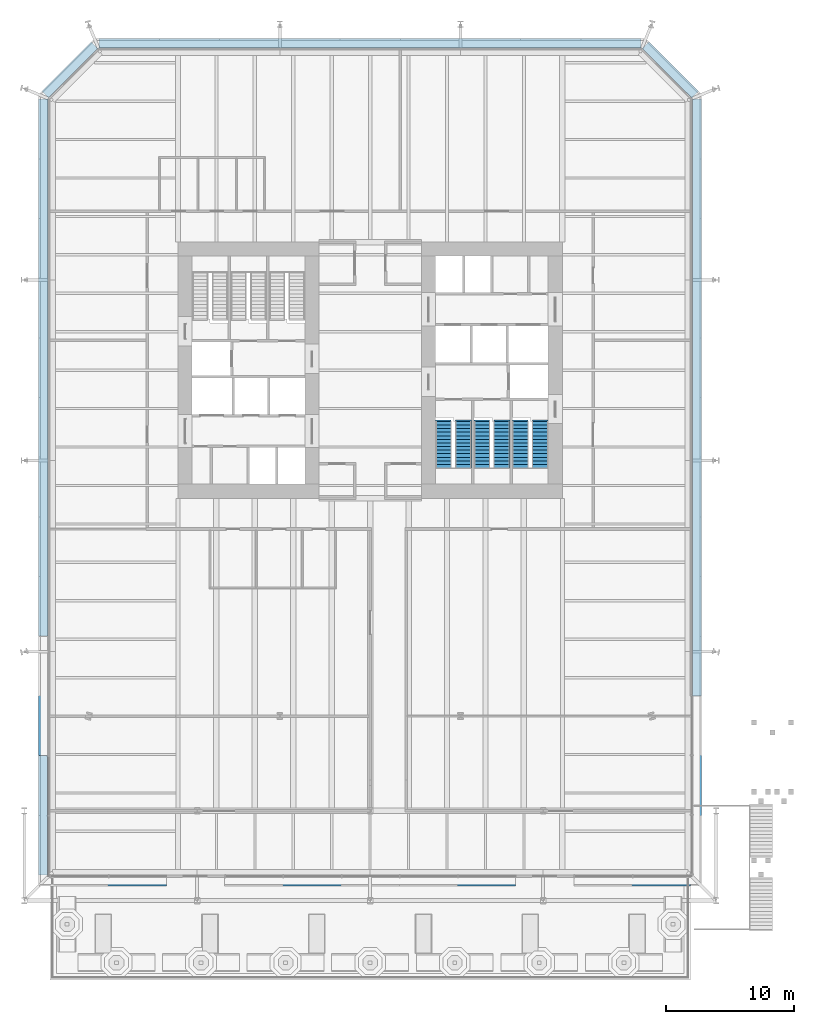
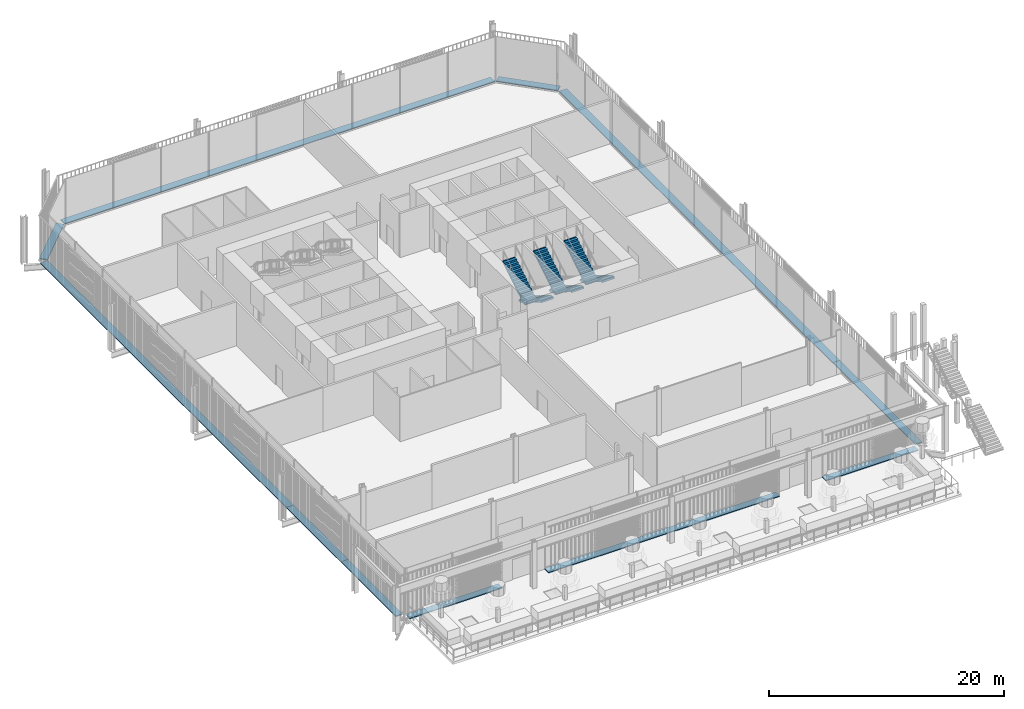
# One storey, part 22 of 25: 11 discrete accessories, 6 stair flights, 3 elements without a shape of their own.
"""IFC4 building model written with IfcOpenShell, lengths in metres."""

from ifc_helpers import new_model, si_unit, direction, frame, origin, origin_2d, place, context, subcontext, project, spatial, polyline, rectangle, outline, extrude, material, type_object, element, aggregate, save


model = new_model("IFC4")

# Units and contexts
model_context = context("Model", 3, precision=1e-05, world=origin(), true_north=direction((0.0, 1.0)))
body_context = subcontext(model_context, "Body", "Model", "MODEL_VIEW")
ifc_project = project(units=[si_unit("LENGTHUNIT", "METRE"), si_unit("AREAUNIT", "SQUARE_METRE"), si_unit("VOLUMEUNIT", "CUBIC_METRE"), si_unit("PLANEANGLEUNIT", "RADIAN"), si_unit("MASSUNIT", "GRAM", prefix="KILO")], contexts=[model_context])

# Site, building, storey
site_placement = place(None, origin())
site = spatial("IfcSite", under=ifc_project, at=site_placement, CompositionType="ELEMENT")
building_placement = place(site_placement, origin())
building = spatial("IfcBuilding", under=site, at=building_placement, Name="Millrace Tower", CompositionType="ELEMENT")
storey_placement = place(building_placement, frame((0.0, 0.0, 6.5)))
storey = spatial("IfcBuildingStorey", under=building, at=storey_placement, Name="L02", CompositionType="ELEMENT", Elevation=6.5)

# Stair, stair flights
ifc_material_1 = material(Name="Concrete C35", Category="concrete")
stair_type = type_object("IfcStairType", Name="Exit stair", PredefinedType="HALF_TURN_STAIR", material=ifc_material_1)
placement = place(storey_placement, origin())
stair_1 = element("IfcStair", 1, at=placement, inside=storey, type_object=stair_type, Name="Stair 1 E L02", PredefinedType="HALF_TURN_STAIR")
ifc_material_2 = material(Name="Concrete C35", Category="concrete")
stair_flight_type = type_object("IfcStairFlightType", Name="Exit stair flight", PredefinedType="STRAIGHT", material=ifc_material_2)
stair_flight_1_placement = place(storey_placement, frame((13.2900390625, -4.0, 0.0), z_axis=(0.0, 0.0, 1.0), x_axis=(0.0, -1.0, 0.0)))
stair_flight_1 = element("IfcStairFlight", 2, at=stair_flight_1_placement, type_object=stair_flight_type, Name="ST12 flight 1", NumberOfRisers=14, NumberOfTreads=13, PredefinedType="STRAIGHT", RiserHeight=0.171428571, TreadLength=0.28, context=body_context, shape_type="SweptSolid", body=[
    extrude(outline(polyline([(-0.1201171875, -0.0400390625), (-0.1201171875, 0.0), (0.0, 0.0), (0.0, 0.17138671875), (0.280029296875, 0.17138671875), (0.280029296875, 0.3427734375), (0.56005859375, 0.3427734375), (0.56005859375, 0.514404296875), (0.840087890625, 0.514404296875), (0.840087890625, 0.685791015625), (1.1201171875, 0.685791015625), (1.1201171875, 0.857177734375), (1.39990234375, 0.857177734375), (1.39990234375, 1.028564453125), (1.679931640625, 1.028564453125), (1.679931640625, 1.199951171875), (1.9599609375, 1.199951171875), (1.9599609375, 1.371337890625), (2.239990234375, 1.371337890625), (2.239990234375, 1.54296875), (2.52001953125, 1.54296875), (2.52001953125, 1.71435546875), (2.800048828125, 1.71435546875), (2.800048828125, 1.8857421875), (3.080078125, 1.8857421875), (3.080078125, 2.05712890625), (3.360107421875, 2.05712890625), (3.360107421875, 2.228515625), (3.639892578125, 2.228515625), (3.639892578125, 2.24853515625), (3.760009765625, 2.24853515625), (3.760009765625, 2.052734375), (3.639892578125, 2.052734375), (0.287109375, 0.0), (0.287109375, -0.0400390625), (-0.1201171875, -0.0400390625)])), frame((0.0, 0.60986328125, 0.0), z_axis=(0.0, -1.0, 0.0), x_axis=(1.0, 0.0, 0.0)), (0.0, 0.0, 1.0), 1.219970703125),
])
stair_flight_2_placement = place(storey_placement, frame((11.7099609375, -7.639892578125, 2.39990234375), z_axis=(0.0, 0.0, 1.0), x_axis=(0.0, 1.0, 0.0)))
stair_flight_2 = element("IfcStairFlight", 3, at=stair_flight_2_placement, type_object=stair_flight_type, Name="ST12 flight 2", NumberOfRisers=14, NumberOfTreads=13, PredefinedType="STRAIGHT", RiserHeight=0.171428571, TreadLength=0.28, context=body_context, shape_type="SweptSolid", body=[
    extrude(outline(polyline([(-0.1201171875, -0.0400390625), (-0.1201171875, 0.0), (0.0, 0.0), (0.0, 0.17138671875), (0.280029296875, 0.17138671875), (0.280029296875, 0.3427734375), (0.56005859375, 0.3427734375), (0.56005859375, 0.514404296875), (0.840087890625, 0.514404296875), (0.840087890625, 0.685791015625), (1.1201171875, 0.685791015625), (1.1201171875, 0.857177734375), (1.39990234375, 0.857177734375), (1.39990234375, 1.028564453125), (1.679931640625, 1.028564453125), (1.679931640625, 1.199951171875), (1.9599609375, 1.199951171875), (1.9599609375, 1.371337890625), (2.239990234375, 1.371337890625), (2.239990234375, 1.54296875), (2.52001953125, 1.54296875), (2.52001953125, 1.71435546875), (2.800048828125, 1.71435546875), (2.800048828125, 1.8857421875), (3.080078125, 1.8857421875), (3.080078125, 2.05712890625), (3.360107421875, 2.05712890625), (3.360107421875, 2.228515625), (3.639892578125, 2.228515625), (3.639892578125, 2.24853515625), (3.760009765625, 2.24853515625), (3.760009765625, 2.052734375), (3.639892578125, 2.052734375), (0.287109375, 0.0), (0.287109375, -0.0400390625), (-0.1201171875, -0.0400390625)])), frame((0.0, 0.60986328125, 0.0), z_axis=(0.0, -1.0, 0.0), x_axis=(1.0, 0.0, 0.0)), (0.0, 0.0, 1.0), 1.219970703125),
])
aggregate(stair_1, [stair_flight_1, stair_flight_2])

stair_2 = element("IfcStair", 4, at=placement, inside=storey, type_object=stair_type, Name="Stair 2 E L02", PredefinedType="HALF_TURN_STAIR")
stair_flight_3_placement = place(storey_placement, frame((10.2900390625, -4.0, 0.0), z_axis=(0.0, 0.0, 1.0), x_axis=(0.0, -1.0, 0.0)))
stair_flight_3 = element("IfcStairFlight", 5, at=stair_flight_3_placement, type_object=stair_flight_type, Name="ST12 flight 1", NumberOfRisers=14, NumberOfTreads=13, PredefinedType="STRAIGHT", RiserHeight=0.171428571, TreadLength=0.28, context=body_context, shape_type="SweptSolid", body=[
    extrude(outline(polyline([(-0.1201171875, -0.0400390625), (-0.1201171875, 0.0), (0.0, 0.0), (0.0, 0.17138671875), (0.280029296875, 0.17138671875), (0.280029296875, 0.3427734375), (0.56005859375, 0.3427734375), (0.56005859375, 0.514404296875), (0.840087890625, 0.514404296875), (0.840087890625, 0.685791015625), (1.1201171875, 0.685791015625), (1.1201171875, 0.857177734375), (1.39990234375, 0.857177734375), (1.39990234375, 1.028564453125), (1.679931640625, 1.028564453125), (1.679931640625, 1.199951171875), (1.9599609375, 1.199951171875), (1.9599609375, 1.371337890625), (2.239990234375, 1.371337890625), (2.239990234375, 1.54296875), (2.52001953125, 1.54296875), (2.52001953125, 1.71435546875), (2.800048828125, 1.71435546875), (2.800048828125, 1.8857421875), (3.080078125, 1.8857421875), (3.080078125, 2.05712890625), (3.360107421875, 2.05712890625), (3.360107421875, 2.228515625), (3.639892578125, 2.228515625), (3.639892578125, 2.24853515625), (3.760009765625, 2.24853515625), (3.760009765625, 2.052734375), (3.639892578125, 2.052734375), (0.287109375, 0.0), (0.287109375, -0.0400390625), (-0.1201171875, -0.0400390625)])), frame((0.0, 0.60986328125, 0.0), z_axis=(0.0, -1.0, 0.0), x_axis=(1.0, 0.0, 0.0)), (0.0, 0.0, 1.0), 1.219970703125),
])
stair_flight_4_placement = place(storey_placement, frame((8.7099609375, -7.639892578125, 2.39990234375), z_axis=(0.0, 0.0, 1.0), x_axis=(0.0, 1.0, 0.0)))
stair_flight_4 = element("IfcStairFlight", 6, at=stair_flight_4_placement, type_object=stair_flight_type, Name="ST12 flight 2", NumberOfRisers=14, NumberOfTreads=13, PredefinedType="STRAIGHT", RiserHeight=0.171428571, TreadLength=0.28, context=body_context, shape_type="SweptSolid", body=[
    extrude(outline(polyline([(-0.1201171875, -0.0400390625), (-0.1201171875, 0.0), (0.0, 0.0), (0.0, 0.17138671875), (0.280029296875, 0.17138671875), (0.280029296875, 0.3427734375), (0.56005859375, 0.3427734375), (0.56005859375, 0.514404296875), (0.840087890625, 0.514404296875), (0.840087890625, 0.685791015625), (1.1201171875, 0.685791015625), (1.1201171875, 0.857177734375), (1.39990234375, 0.857177734375), (1.39990234375, 1.028564453125), (1.679931640625, 1.028564453125), (1.679931640625, 1.199951171875), (1.9599609375, 1.199951171875), (1.9599609375, 1.371337890625), (2.239990234375, 1.371337890625), (2.239990234375, 1.54296875), (2.52001953125, 1.54296875), (2.52001953125, 1.71435546875), (2.800048828125, 1.71435546875), (2.800048828125, 1.8857421875), (3.080078125, 1.8857421875), (3.080078125, 2.05712890625), (3.360107421875, 2.05712890625), (3.360107421875, 2.228515625), (3.639892578125, 2.228515625), (3.639892578125, 2.24853515625), (3.760009765625, 2.24853515625), (3.760009765625, 2.052734375), (3.639892578125, 2.052734375), (0.287109375, 0.0), (0.287109375, -0.0400390625), (-0.1201171875, -0.0400390625)])), frame((0.0, 0.60986328125, 0.0), z_axis=(0.0, -1.0, 0.0), x_axis=(1.0, 0.0, 0.0)), (0.0, 0.0, 1.0), 1.219970703125),
])
aggregate(stair_2, [stair_flight_3, stair_flight_4])

stair_3 = element("IfcStair", 7, at=placement, inside=storey, type_object=stair_type, Name="Stair 3 E L02", PredefinedType="HALF_TURN_STAIR")
stair_flight_5_placement = place(storey_placement, frame((7.2900390625, -4.0, 0.0), z_axis=(0.0, 0.0, 1.0), x_axis=(0.0, -1.0, 0.0)))
stair_flight_5 = element("IfcStairFlight", 8, at=stair_flight_5_placement, type_object=stair_flight_type, Name="ST12 flight 1", NumberOfRisers=14, NumberOfTreads=13, PredefinedType="STRAIGHT", RiserHeight=0.171428571, TreadLength=0.28, context=body_context, shape_type="SweptSolid", body=[
    extrude(outline(polyline([(-0.1201171875, -0.0400390625), (-0.1201171875, 0.0), (0.0, 0.0), (0.0, 0.17138671875), (0.280029296875, 0.17138671875), (0.280029296875, 0.3427734375), (0.56005859375, 0.3427734375), (0.56005859375, 0.514404296875), (0.840087890625, 0.514404296875), (0.840087890625, 0.685791015625), (1.1201171875, 0.685791015625), (1.1201171875, 0.857177734375), (1.39990234375, 0.857177734375), (1.39990234375, 1.028564453125), (1.679931640625, 1.028564453125), (1.679931640625, 1.199951171875), (1.9599609375, 1.199951171875), (1.9599609375, 1.371337890625), (2.239990234375, 1.371337890625), (2.239990234375, 1.54296875), (2.52001953125, 1.54296875), (2.52001953125, 1.71435546875), (2.800048828125, 1.71435546875), (2.800048828125, 1.8857421875), (3.080078125, 1.8857421875), (3.080078125, 2.05712890625), (3.360107421875, 2.05712890625), (3.360107421875, 2.228515625), (3.639892578125, 2.228515625), (3.639892578125, 2.24853515625), (3.760009765625, 2.24853515625), (3.760009765625, 2.052734375), (3.639892578125, 2.052734375), (0.287109375, 0.0), (0.287109375, -0.0400390625), (-0.1201171875, -0.0400390625)])), frame((0.0, 0.60986328125, 0.0), z_axis=(0.0, -1.0, 0.0), x_axis=(1.0, 0.0, 0.0)), (0.0, 0.0, 1.0), 1.219970703125),
])
stair_flight_6_placement = place(storey_placement, frame((5.7099609375, -7.639892578125, 2.39990234375), z_axis=(0.0, 0.0, 1.0), x_axis=(0.0, 1.0, 0.0)))
stair_flight_6 = element("IfcStairFlight", 9, at=stair_flight_6_placement, type_object=stair_flight_type, Name="ST12 flight 2", NumberOfRisers=14, NumberOfTreads=13, PredefinedType="STRAIGHT", RiserHeight=0.171428571, TreadLength=0.28, context=body_context, shape_type="SweptSolid", body=[
    extrude(outline(polyline([(-0.1201171875, -0.0400390625), (-0.1201171875, 0.0), (0.0, 0.0), (0.0, 0.17138671875), (0.280029296875, 0.17138671875), (0.280029296875, 0.3427734375), (0.56005859375, 0.3427734375), (0.56005859375, 0.514404296875), (0.840087890625, 0.514404296875), (0.840087890625, 0.685791015625), (1.1201171875, 0.685791015625), (1.1201171875, 0.857177734375), (1.39990234375, 0.857177734375), (1.39990234375, 1.028564453125), (1.679931640625, 1.028564453125), (1.679931640625, 1.199951171875), (1.9599609375, 1.199951171875), (1.9599609375, 1.371337890625), (2.239990234375, 1.371337890625), (2.239990234375, 1.54296875), (2.52001953125, 1.54296875), (2.52001953125, 1.71435546875), (2.800048828125, 1.71435546875), (2.800048828125, 1.8857421875), (3.080078125, 1.8857421875), (3.080078125, 2.05712890625), (3.360107421875, 2.05712890625), (3.360107421875, 2.228515625), (3.639892578125, 2.228515625), (3.639892578125, 2.24853515625), (3.760009765625, 2.24853515625), (3.760009765625, 2.052734375), (3.639892578125, 2.052734375), (0.287109375, 0.0), (0.287109375, -0.0400390625), (-0.1201171875, -0.0400390625)])), frame((0.0, 0.60986328125, 0.0), z_axis=(0.0, -1.0, 0.0), x_axis=(1.0, 0.0, 0.0)), (0.0, 0.0, 1.0), 1.219970703125),
])
aggregate(stair_3, [stair_flight_5, stair_flight_6])

# Discrete accessories
ifc_material_3 = material(Name="Stainless steel ASTM A240 type 316", Category="steel")
discrete_accessory_type = type_object("IfcDiscreteAccessoryType", Name="Thermally broken screen support rail", PredefinedType="BRACKET", material=ifc_material_3)
discrete_accessory_1_placement = place(storey_placement, frame((-20.45458984375, -39.93505859375, 0.0), z_axis=(0.0, 0.0, 1.0), x_axis=(1.0, 0.0, 0.0)))
element("IfcDiscreteAccessory", 10, at=discrete_accessory_1_placement, inside=storey, type_object=discrete_accessory_type, Name="Thermally broken screen support rail AW2-F01 L02 1", PredefinedType="BRACKET", context=body_context, shape_type="SweptSolid", body=[
    extrude(rectangle(XDim=9.0908203125, YDim=0.669921875, at=origin_2d()), origin(), (0.0, 0.0, 1.0), 0.10009765625),
])
discrete_accessory_2_placement = place(storey_placement, frame((0.0, -39.93505859375, 0.0), z_axis=(0.0, 0.0, 1.0), x_axis=(1.0, 0.0, 0.0)))
element("IfcDiscreteAccessory", 11, at=discrete_accessory_2_placement, inside=storey, type_object=discrete_accessory_type, Name="Thermally broken screen support rail AW2-F01 L02 2", PredefinedType="BRACKET", context=body_context, shape_type="SweptSolid", body=[
    extrude(rectangle(XDim=22.727294921875, YDim=0.669921875, at=origin_2d()), origin(), (0.0, 0.0, 1.0), 0.10009765625),
])
discrete_accessory_3_placement = place(storey_placement, frame((20.45458984375, -39.93505859375, 0.0), z_axis=(0.0, 0.0, 1.0), x_axis=(1.0, 0.0, 0.0)))
element("IfcDiscreteAccessory", 12, at=discrete_accessory_3_placement, inside=storey, type_object=discrete_accessory_type, Name="Thermally broken screen support rail AW2-F01 L02 3", PredefinedType="BRACKET", context=body_context, shape_type="SweptSolid", body=[
    extrude(rectangle(XDim=9.0908203125, YDim=0.669921875, at=origin_2d()), origin(), (0.0, 0.0, 1.0), 0.10009765625),
])
discrete_accessory_4_placement = place(storey_placement, frame((25.534912109375, -32.41357421875, 0.0), z_axis=(0.0, 0.0, 1.0), x_axis=(0.0, 1.0, 0.0)))
element("IfcDiscreteAccessory", 13, at=discrete_accessory_4_placement, inside=storey, type_object=discrete_accessory_type, Name="Thermally broken screen support rail AW2-F02 L02 1", PredefinedType="BRACKET", context=body_context, shape_type="SweptSolid", body=[
    extrude(rectangle(XDim=13.97314453125, YDim=0.669921875, at=origin_2d()), origin(), (0.0, 0.0, 1.0), 0.10009765625),
])
discrete_accessory_5_placement = place(storey_placement, frame((25.510009765625, -2.138427734375, 0.0), z_axis=(0.0, 0.0, 1.0), x_axis=(0.0, 1.0, 0.0)))
element("IfcDiscreteAccessory", 14, at=discrete_accessory_5_placement, inside=storey, type_object=discrete_accessory_type, Name="Thermally broken screen support rail AW2-F02 L02 2", PredefinedType="BRACKET", context=body_context, shape_type="SweptSolid", body=[
    extrude(rectangle(XDim=46.576904296875, YDim=0.719970703125, at=origin_2d()), origin(), (0.0, 0.0, 1.0), 0.10009765625),
])
discrete_accessory_6_placement = place(storey_placement, frame((23.435546875, 23.435546875, 0.0), z_axis=(0.0, 0.0, 1.0), x_axis=(-0.707106781187, 0.707106781187, 0.0)))
element("IfcDiscreteAccessory", 15, at=discrete_accessory_6_placement, inside=storey, type_object=discrete_accessory_type, Name="Thermally broken screen support rail AW2-F03 L02 1", PredefinedType="BRACKET", context=body_context, shape_type="SweptSolid", body=[
    extrude(rectangle(XDim=5.44482421875, YDim=0.719970703125, at=origin_2d()), origin(), (0.0, 0.0, 1.0), 0.10009765625),
])
discrete_accessory_7_placement = place(storey_placement, frame((0.0, 25.510009765625, 0.0), z_axis=(0.0, 0.0, 1.0), x_axis=(-1.0, 0.0, 0.0)))
element("IfcDiscreteAccessory", 16, at=discrete_accessory_7_placement, inside=storey, type_object=discrete_accessory_type, Name="Thermally broken screen support rail AW2-F04 L02 1", PredefinedType="BRACKET", context=body_context, shape_type="SweptSolid", body=[
    extrude(rectangle(XDim=42.300048828125, YDim=0.719970703125, at=origin_2d()), origin(), (0.0, 0.0, 1.0), 0.10009765625),
])
discrete_accessory_8_placement = place(storey_placement, frame((-23.435546875, 23.435546875, 0.0), z_axis=(0.0, 0.0, 1.0), x_axis=(-0.707106781187, -0.707106781187, 0.0)))
element("IfcDiscreteAccessory", 17, at=discrete_accessory_8_placement, inside=storey, type_object=discrete_accessory_type, Name="Thermally broken screen support rail AW2-F05 L02 1", PredefinedType="BRACKET", context=body_context, shape_type="SweptSolid", body=[
    extrude(rectangle(XDim=5.44482421875, YDim=0.719970703125, at=origin_2d()), origin(), (0.0, 0.0, 1.0), 0.10009765625),
])
discrete_accessory_9_placement = place(storey_placement, frame((-25.510009765625, 0.1904296875, 0.0), z_axis=(0.0, 0.0, 1.0), x_axis=(0.0, -1.0, 0.0)))
element("IfcDiscreteAccessory", 18, at=discrete_accessory_9_placement, inside=storey, type_object=discrete_accessory_type, Name="Thermally broken screen support rail AW2-F06 L02 1", PredefinedType="BRACKET", context=body_context, shape_type="SweptSolid", body=[
    extrude(rectangle(XDim=41.919189453125, YDim=0.719970703125, at=origin_2d()), origin(), (0.0, 0.0, 1.0), 0.10009765625),
])
discrete_accessory_10_placement = place(storey_placement, frame((-25.510009765625, -25.427001953125, 0.0), z_axis=(0.0, 0.0, 1.0), x_axis=(0.0, -1.0, 0.0)))
element("IfcDiscreteAccessory", 19, at=discrete_accessory_10_placement, inside=storey, type_object=discrete_accessory_type, Name="Thermally broken screen support rail AW2-F06 L02 2", PredefinedType="BRACKET", context=body_context, shape_type="SweptSolid", body=[
    extrude(rectangle(XDim=9.3154296875, YDim=0.719970703125, at=origin_2d()), origin(), (0.0, 0.0, 1.0), 0.10009765625),
])
discrete_accessory_11_placement = place(storey_placement, frame((-25.534912109375, -34.7421875, 0.0), z_axis=(0.0, 0.0, 1.0), x_axis=(0.0, -1.0, 0.0)))
element("IfcDiscreteAccessory", 20, at=discrete_accessory_11_placement, inside=storey, type_object=discrete_accessory_type, Name="Thermally broken screen support rail AW2-F06 L02 3", PredefinedType="BRACKET", context=body_context, shape_type="SweptSolid", body=[
    extrude(rectangle(XDim=9.3154296875, YDim=0.669921875, at=origin_2d()), origin(), (0.0, 0.0, 1.0), 0.10009765625),
])

save(model, "model.ifc")
